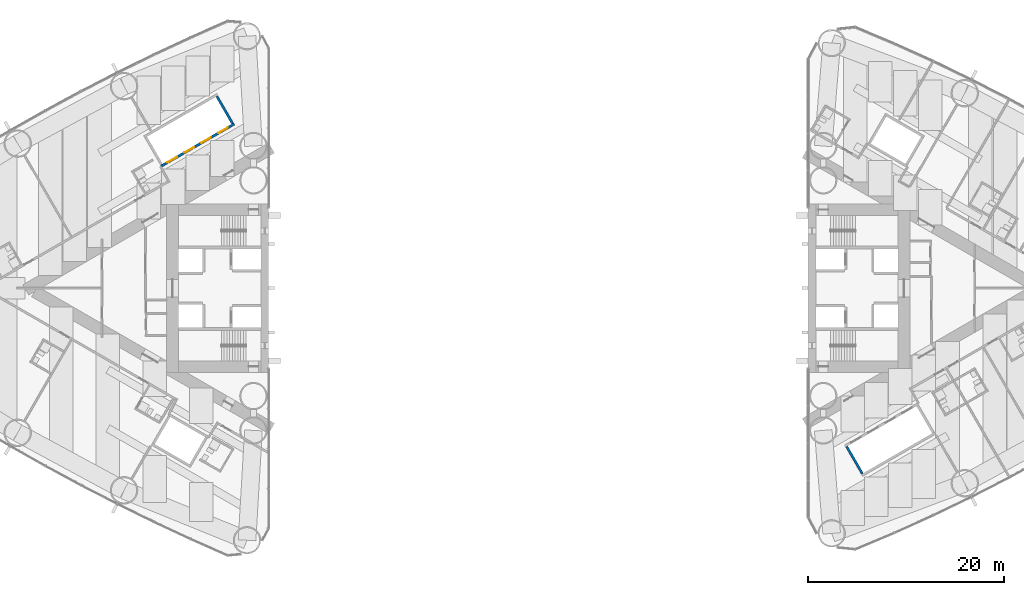
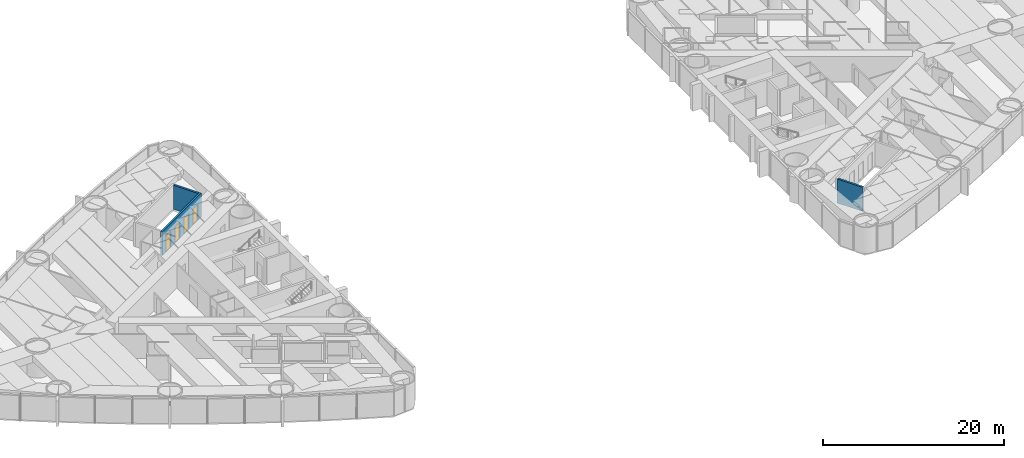
# One storey, part 13 of 19: 4 doors, 3 walls, 4 openings.
"""IFC4 building model written with IfcOpenShell, lengths in metres."""

from ifc_helpers import new_model, si_unit, direction, frame, frame_2d, origin, place, context, subcontext, project, spatial, rectangle, extrude, material, layer, layer_set, type_object, element, fill, save


model = new_model("IFC4")

# Units and contexts
model_context = context("Model", 3, precision=1e-05, world=origin(), true_north=direction((0.0, 1.0)))
body_context = subcontext(model_context, "Body", "Model", "MODEL_VIEW")
ifc_project = project(units=[si_unit("LENGTHUNIT", "METRE"), si_unit("AREAUNIT", "SQUARE_METRE"), si_unit("VOLUMEUNIT", "CUBIC_METRE"), si_unit("PLANEANGLEUNIT", "RADIAN"), si_unit("MASSUNIT", "GRAM", prefix="KILO")], contexts=[model_context])

# Site, building, storey
site_placement = place(None, origin())
site = spatial("IfcSite", under=ifc_project, at=site_placement, CompositionType="ELEMENT")
building_placement = place(site_placement, origin())
building = spatial("IfcBuilding", under=site, at=building_placement, Name="Lancet Gate Hotel", CompositionType="ELEMENT")
storey_placement = place(building_placement, frame((0.0, 0.0, 35.5)))
storey = spatial("IfcBuildingStorey", under=building, at=storey_placement, Name="L08", CompositionType="ELEMENT", Elevation=35.5)

# Wall, openings, doors
ifc_material_1 = material(Name="Gypsum board partition")
ifc_layer = layer(ifc_material_1, 0.25)
ifc_layer_set = layer_set([ifc_layer], Name="Lift shaft partition 250")
wall_type = type_object("IfcWallType", Name="Lift shaft partition 250", PredefinedType="PARTITIONING", material=ifc_layer_set)
wall_placement = place(storey_placement, frame((-31.010498046875, 16.747314453125, 0.0), z_axis=(0.0, 0.0, 1.0), x_axis=(-0.866028165386, -0.499995216735, 0.0)))
wall = element("IfcWall", 1, at=wall_placement, inside=storey, type_object=wall_type, Name="T1 lift shaft wall LR L08", PredefinedType="PARTITIONING", context=body_context, shape_type="SweptSolid", body=[
    extrude(rectangle(XDim=8.60009765625, YDim=0.25, at=frame_2d((4.300048828125, 0.0))), origin(), (0.0, 0.0, 1.0), 3.25),
])
opening_1_placement = place(wall_placement, frame((0.75, 0.0, 0.0)))
opening_1 = element("IfcOpeningElement", 2, at=opening_1_placement, cuts=wall, Name="Opening T1-LR1-L08", PredefinedType="OPENING", context=body_context, shape_type="SweptSolid", body=[
    extrude(rectangle(XDim=1.10009765625, YDim=2.199951171875, at=frame_2d((0.550048828125, 1.10009765625))), frame((0.0, 0.135009765625, 0.0), z_axis=(0.0, -1.0, 0.0), x_axis=(1.0, 0.0, 0.0)), (0.0, 0.0, 1.0), 0.27001953125),
])
opening_2_placement = place(wall_placement, frame((2.75, 0.0, 0.0)))
opening_2 = element("IfcOpeningElement", 3, at=opening_2_placement, cuts=wall, Name="Opening T1-LR2-L08", PredefinedType="OPENING", context=body_context, shape_type="SweptSolid", body=[
    extrude(rectangle(XDim=1.10009765625, YDim=2.199951171875, at=frame_2d((0.550048828125, 1.10009765625))), frame((0.0, 0.135009765625, 0.0), z_axis=(0.0, -1.0, 0.0), x_axis=(1.0, 0.0, 0.0)), (0.0, 0.0, 1.0), 0.27001953125),
])
opening_3_placement = place(wall_placement, frame((4.75, 0.0, 0.0)))
opening_3 = element("IfcOpeningElement", 4, at=opening_3_placement, cuts=wall, Name="Opening T1-LR3-L08", PredefinedType="OPENING", context=body_context, shape_type="SweptSolid", body=[
    extrude(rectangle(XDim=1.10009765625, YDim=2.199951171875, at=frame_2d((0.550048828125, 1.10009765625))), frame((0.0, 0.135009765625, 0.0), z_axis=(0.0, -1.0, 0.0), x_axis=(1.0, 0.0, 0.0)), (0.0, 0.0, 1.0), 0.27001953125),
])
opening_4_placement = place(wall_placement, frame((6.75, 0.0, 0.0)))
opening_4 = element("IfcOpeningElement", 5, at=opening_4_placement, cuts=wall, Name="Opening T1-LR4-L08", PredefinedType="OPENING", context=body_context, shape_type="SweptSolid", body=[
    extrude(rectangle(XDim=1.10009765625, YDim=2.199951171875, at=frame_2d((0.550048828125, 1.10009765625))), frame((0.0, 0.135009765625, 0.0), z_axis=(0.0, -1.0, 0.0), x_axis=(1.0, 0.0, 0.0)), (0.0, 0.0, 1.0), 0.27001953125),
])
ifc_material_2 = material(Name="Steel door set", Category="steel")
door_type = type_object("IfcDoorType", Name="Lift landing door 1100", OperationType="DOUBLE_DOOR_SLIDING", PredefinedType="USERDEFINED", material=ifc_material_2)
door_1_placement = place(opening_1_placement, origin())
door_1 = element("IfcDoor", 6, at=door_1_placement, inside=storey, type_object=door_type, Name="T1-LR1-L08", ObjectType="LIFT LANDING DOOR", OperationType="DOUBLE_DOOR_SLIDING", OverallHeight=2.199951171875, OverallWidth=1.10009765625, PredefinedType="USERDEFINED", context=body_context, shape_type="SweptSolid", body=[
    extrude(rectangle(XDim=1.10009765625, YDim=2.199951171875, at=frame_2d((0.550048828125, 1.10009765625))), frame((0.0, 0.02490234375, 0.0), z_axis=(0.0, -1.0, 0.0), x_axis=(1.0, 0.0, 0.0)), (0.0, 0.0, 1.0), 0.050048828125),
])
fill(opening_1, door_1)
door_2_placement = place(opening_2_placement, origin())
door_2 = element("IfcDoor", 7, at=door_2_placement, inside=storey, type_object=door_type, Name="T1-LR2-L08", ObjectType="LIFT LANDING DOOR", OperationType="DOUBLE_DOOR_SLIDING", OverallHeight=2.199951171875, OverallWidth=1.10009765625, PredefinedType="USERDEFINED", context=body_context, shape_type="SweptSolid", body=[
    extrude(rectangle(XDim=1.10009765625, YDim=2.199951171875, at=frame_2d((0.550048828125, 1.10009765625))), frame((0.0, 0.02490234375, 0.0), z_axis=(0.0, -1.0, 0.0), x_axis=(1.0, 0.0, 0.0)), (0.0, 0.0, 1.0), 0.050048828125),
])
fill(opening_2, door_2)
door_3_placement = place(opening_3_placement, origin())
door_3 = element("IfcDoor", 8, at=door_3_placement, inside=storey, type_object=door_type, Name="T1-LR3-L08", ObjectType="LIFT LANDING DOOR", OperationType="DOUBLE_DOOR_SLIDING", OverallHeight=2.199951171875, OverallWidth=1.10009765625, PredefinedType="USERDEFINED", context=body_context, shape_type="SweptSolid", body=[
    extrude(rectangle(XDim=1.10009765625, YDim=2.199951171875, at=frame_2d((0.550048828125, 1.10009765625))), frame((0.0, 0.02490234375, 0.0), z_axis=(0.0, -1.0, 0.0), x_axis=(1.0, 0.0, 0.0)), (0.0, 0.0, 1.0), 0.050048828125),
])
fill(opening_3, door_3)
door_4_placement = place(opening_4_placement, origin())
door_4 = element("IfcDoor", 9, at=door_4_placement, inside=storey, type_object=door_type, Name="T1-LR4-L08", ObjectType="LIFT LANDING DOOR", OperationType="DOUBLE_DOOR_SLIDING", OverallHeight=2.199951171875, OverallWidth=1.10009765625, PredefinedType="USERDEFINED", context=body_context, shape_type="SweptSolid", body=[
    extrude(rectangle(XDim=1.10009765625, YDim=2.199951171875, at=frame_2d((0.550048828125, 1.10009765625))), frame((0.0, 0.02490234375, 0.0), z_axis=(0.0, -1.0, 0.0), x_axis=(1.0, 0.0, 0.0)), (0.0, 0.0, 1.0), 0.050048828125),
])
fill(opening_4, door_4)

# Walls
for number, where, z_axis, x_axis, name in (
    (10, (-31.18115234375, 16.79296875, 0.0), (0.0, 0.0, 1.0), (-0.499929347863, 0.866066190972, 0.0), "T1 lift shaft wall LR L08"),
    (11, (31.441162109375, -16.14306640625, 0.0), (0.0, 0.0, 1.0), (0.499929347863, -0.866066190972, 0.0), "T2 lift shaft wall LR L08"),
):
    element("IfcWall", number, at=place(storey_placement, frame(where, z_axis=z_axis, x_axis=x_axis)), inside=storey, type_object=wall_type, Name=name, PredefinedType="PARTITIONING", context=body_context, shape_type="SweptSolid", body=[
        extrude(rectangle(XDim=3.20068359375, YDim=0.25, at=frame_2d((1.600341796875, 0.0))), origin(), (0.0, 0.0, 1.0), 3.25),
    ])

save(model, "model.ifc")
